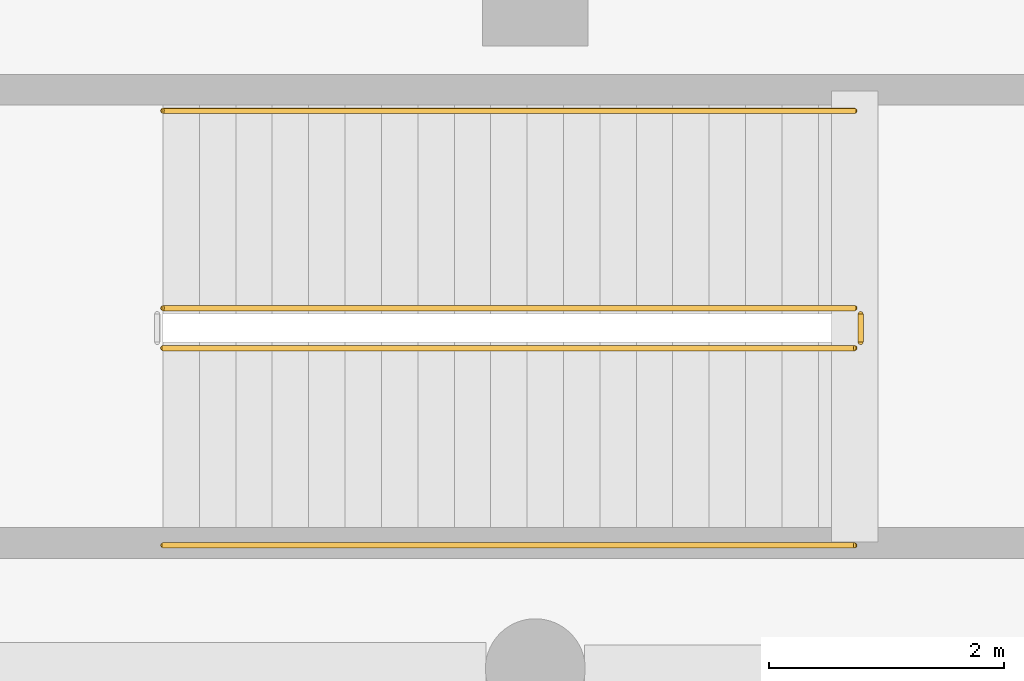
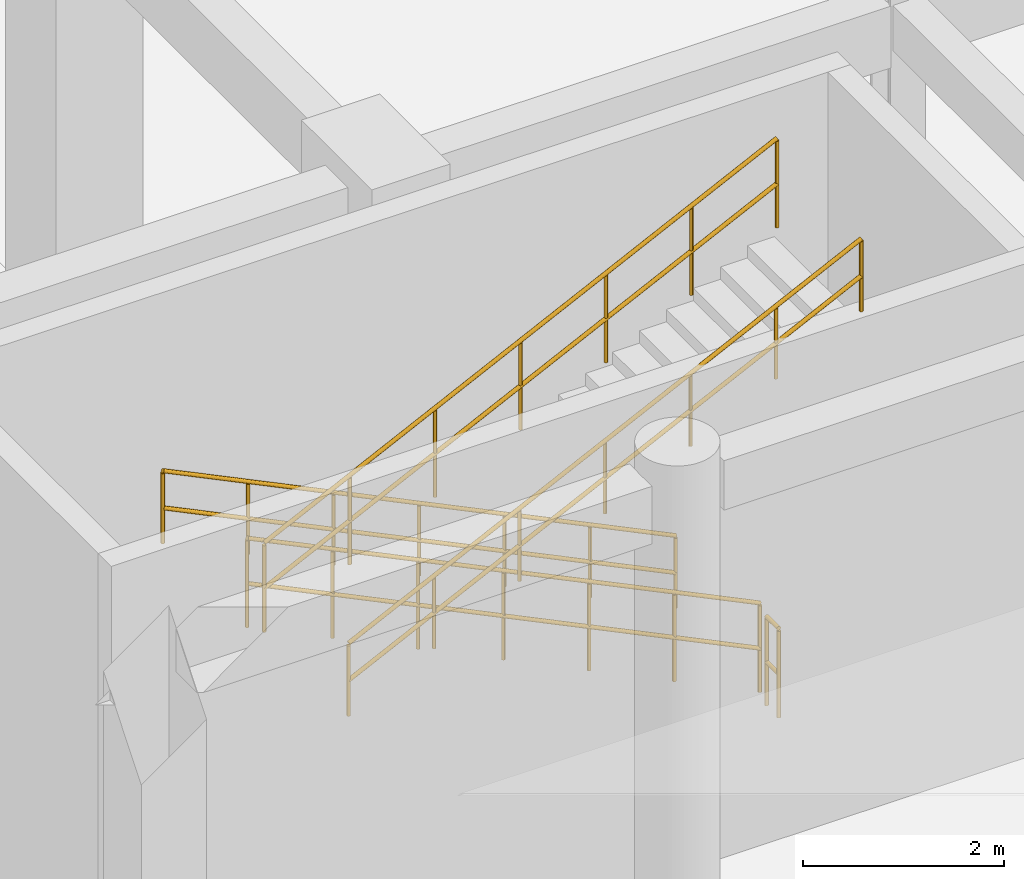
# One storey, part 101 of 106: 5 railings.
"""IFC4 building model written with IfcOpenShell, lengths in metres."""

from ifc_helpers import new_model, si_unit, direction, frame, origin, origin_2d, place, context, subcontext, project, spatial, circle, extrude, material, type_object, element, save


model = new_model("IFC4")

# Units and contexts
model_context = context("Model", 3, precision=1e-05, world=origin(), true_north=direction((0.0, 1.0)))
body_context = subcontext(model_context, "Body", "Model", "MODEL_VIEW")
ifc_project = project(units=[si_unit("LENGTHUNIT", "METRE"), si_unit("AREAUNIT", "SQUARE_METRE"), si_unit("VOLUMEUNIT", "CUBIC_METRE"), si_unit("PLANEANGLEUNIT", "RADIAN"), si_unit("MASSUNIT", "GRAM", prefix="KILO"), si_unit("THERMODYNAMICTEMPERATUREUNIT", "KELVIN"), si_unit("POWERUNIT", "WATT")], contexts=[model_context])

# Site, building, storey
site_placement = place(None, origin())
site = spatial("IfcSite", under=ifc_project, at=site_placement, CompositionType="ELEMENT")
building_placement = place(site_placement, origin())
building = spatial("IfcBuilding", under=site, at=building_placement, Name="Phaisarnlok Congress Hotel", CompositionType="ELEMENT")
storey_placement = place(building_placement, origin())
storey = spatial("IfcBuildingStorey", under=building, at=storey_placement, Name="L00", CompositionType="ELEMENT", Elevation=0.0)

# Railings
ifc_material_1 = material(Name="Painted Galvanised Steel S275", Category="steel")
railing_type_1 = type_object("IfcRailingType", Name="RLG-STR-GUARD", PredefinedType="BALUSTRADE", material=ifc_material_1)
railing_1_placement = place(storey_placement, frame((68.719970703125, 39.070068359375, 0.14990234375)))
element("IfcRailing", 1, at=railing_1_placement, inside=storey, type_object=railing_type_1, Name="L00 ST-12 stair guard 1", PredefinedType="BALUSTRADE", context=body_context, shape_type="SweptSolid", body=[
    extrude(circle(Radius=0.02392578125, at=origin_2d()), frame((0.0, 0.0, 1.076171875), z_axis=(-0.900150285036, 0.0, 0.435579458135), x_axis=(0.0, -1.0, 0.0)), (0.0, 0.0, 1.0), 6.543212890625),
    extrude(circle(Radius=0.02392578125, at=origin_2d()), frame((0.0, 0.0, 0.52587890625), z_axis=(-0.900150285036, 0.0, 0.435579458135), x_axis=(0.0, -1.0, 0.0)), (0.0, 0.0, 1.0), 6.543212890625),
    extrude(circle(Radius=0.02099609375, at=origin_2d()), origin(), (0.0, 0.0, 1.0), 1.052001953125),
    extrude(circle(Radius=0.02099609375, at=origin_2d()), frame((-0.981689453125, 0.0, 0.47509765625)), (0.0, 0.0, 1.0), 1.052001953125),
    extrude(circle(Radius=0.02099609375, at=origin_2d()), frame((-1.96337890625, 0.0, 0.949951171875)), (0.0, 0.0, 1.0), 1.052001953125),
    extrude(circle(Radius=0.02099609375, at=origin_2d()), frame((-2.94482421875, 0.0, 1.425048828125)), (0.0, 0.0, 1.0), 1.052001953125),
    extrude(circle(Radius=0.02099609375, at=origin_2d()), frame((-3.926513671875, 0.0, 1.900146484375)), (0.0, 0.0, 1.0), 1.052001953125),
    extrude(circle(Radius=0.02099609375, at=origin_2d()), frame((-4.908203125, 0.0, 2.375)), (0.0, 0.0, 1.0), 1.052001953125),
    extrude(circle(Radius=0.02099609375, at=origin_2d()), frame((-5.889892578125, 0.0, 2.85009765625)), (0.0, 0.0, 1.0), 1.052001953125),
])
railing_2_placement = place(storey_placement, frame((62.830078125, 38.72998046875, 3.14990234375)))
element("IfcRailing", 2, at=railing_2_placement, inside=storey, type_object=railing_type_1, Name="L00 ST-12 stair guard 3", PredefinedType="BALUSTRADE", context=body_context, shape_type="SweptSolid", body=[
    extrude(circle(Radius=0.02392578125, at=origin_2d()), frame((0.0, 0.0, 1.076171875), z_axis=(0.900150285036, 0.0, 0.435579458135), x_axis=(0.0, 1.0, 0.0)), (0.0, 0.0, 1.0), 6.543212890625),
    extrude(circle(Radius=0.02392578125, at=origin_2d()), frame((0.0, 0.0, 0.52587890625), z_axis=(0.900150285036, 0.0, 0.435579458135), x_axis=(0.0, 1.0, 0.0)), (0.0, 0.0, 1.0), 6.543212890625),
    extrude(circle(Radius=0.02099609375, at=origin_2d()), origin(), (0.0, 0.0, 1.0), 1.052001953125),
    extrude(circle(Radius=0.02099609375, at=origin_2d()), frame((0.981689453125, 0.0, 0.47509765625)), (0.0, 0.0, 1.0), 1.052001953125),
    extrude(circle(Radius=0.02099609375, at=origin_2d()), frame((1.96337890625, 0.0, 0.949951171875)), (0.0, 0.0, 1.0), 1.052001953125),
    extrude(circle(Radius=0.02099609375, at=origin_2d()), frame((2.94482421875, 0.0, 1.425048828125)), (0.0, 0.0, 1.0), 1.052001953125),
    extrude(circle(Radius=0.02099609375, at=origin_2d()), frame((3.926513671875, 0.0, 1.900146484375)), (0.0, 0.0, 1.0), 1.052001953125),
    extrude(circle(Radius=0.02099609375, at=origin_2d()), frame((4.908203125, 0.0, 2.375)), (0.0, 0.0, 1.0), 1.052001953125),
    extrude(circle(Radius=0.02099609375, at=origin_2d()), frame((5.889892578125, 0.0, 2.85009765625)), (0.0, 0.0, 1.0), 1.052001953125),
])
railing_3_placement = place(storey_placement, frame((68.77001953125, 39.02001953125, 0.0)))
element("IfcRailing", 3, at=railing_3_placement, inside=storey, type_object=railing_type_1, Name="L00 ST-12 stair guard 4", PredefinedType="BALUSTRADE", context=body_context, shape_type="SweptSolid", body=[
    extrude(circle(Radius=0.02392578125, at=origin_2d()), frame((0.0, 0.0, 1.076171875), z_axis=(0.0, -1.0, 0.0), x_axis=(1.0, 0.0, 0.0)), (0.0, 0.0, 1.0), 0.239990234375),
    extrude(circle(Radius=0.02392578125, at=origin_2d()), frame((0.0, 0.0, 0.52587890625), z_axis=(0.0, -1.0, 0.0), x_axis=(1.0, 0.0, 0.0)), (0.0, 0.0, 1.0), 0.239990234375),
    extrude(circle(Radius=0.02099609375, at=origin_2d()), origin(), (0.0, 0.0, 1.0), 1.052001953125),
    extrude(circle(Radius=0.02099609375, at=origin_2d()), frame((0.0, -0.239990234375, 0.0)), (0.0, 0.0, 1.0), 1.052001953125),
])
ifc_material_2 = material(Name="Brushed Stainless Steel Grade 304", Category="steel")
railing_type_2 = type_object("IfcRailingType", Name="RLG-STR-HRAIL", PredefinedType="HANDRAIL", material=ifc_material_2)
railing_4_placement = place(storey_placement, frame((68.719970703125, 40.75, 0.14990234375)))
element("IfcRailing", 4, at=railing_4_placement, inside=storey, type_object=railing_type_2, Name="L00 ST-12 stair handrail 1", PredefinedType="HANDRAIL", context=body_context, shape_type="SweptSolid", body=[
    extrude(circle(Radius=0.02392578125, at=origin_2d()), frame((0.0, 0.0, 0.8759765625), z_axis=(-0.900150285036, 0.0, 0.435579458135), x_axis=(0.0, -1.0, 0.0)), (0.0, 0.0, 1.0), 6.543212890625),
    extrude(circle(Radius=0.02392578125, at=origin_2d()), frame((0.0, 0.0, 0.42578125), z_axis=(-0.900150285036, 0.0, 0.435579458135), x_axis=(0.0, -1.0, 0.0)), (0.0, 0.0, 1.0), 6.543212890625),
    extrude(circle(Radius=0.02099609375, at=origin_2d()), origin(), (0.0, 0.0, 1.0), 0.851806640625),
    extrude(circle(Radius=0.02099609375, at=origin_2d()), frame((-0.981689453125, 0.0, 0.47509765625)), (0.0, 0.0, 1.0), 0.851806640625),
    extrude(circle(Radius=0.02099609375, at=origin_2d()), frame((-1.96337890625, 0.0, 0.949951171875)), (0.0, 0.0, 1.0), 0.851806640625),
    extrude(circle(Radius=0.02099609375, at=origin_2d()), frame((-2.94482421875, 0.0, 1.425048828125)), (0.0, 0.0, 1.0), 0.851806640625),
    extrude(circle(Radius=0.02099609375, at=origin_2d()), frame((-3.926513671875, 0.0, 1.900146484375)), (0.0, 0.0, 1.0), 0.851806640625),
    extrude(circle(Radius=0.02099609375, at=origin_2d()), frame((-4.908203125, 0.0, 2.375)), (0.0, 0.0, 1.0), 0.851806640625),
    extrude(circle(Radius=0.02099609375, at=origin_2d()), frame((-5.889892578125, 0.0, 2.85009765625)), (0.0, 0.0, 1.0), 0.851806640625),
])
railing_5_placement = place(storey_placement, frame((62.830078125, 37.050048828125, 3.14990234375)))
element("IfcRailing", 5, at=railing_5_placement, inside=storey, type_object=railing_type_2, Name="L00 ST-12 stair handrail 2", PredefinedType="HANDRAIL", context=body_context, shape_type="SweptSolid", body=[
    extrude(circle(Radius=0.02392578125, at=origin_2d()), frame((0.0, 0.0, 0.8759765625), z_axis=(0.900150285036, 0.0, 0.435579458135), x_axis=(0.0, 1.0, 0.0)), (0.0, 0.0, 1.0), 6.543212890625),
    extrude(circle(Radius=0.02392578125, at=origin_2d()), frame((0.0, 0.0, 0.42578125), z_axis=(0.900150285036, 0.0, 0.435579458135), x_axis=(0.0, 1.0, 0.0)), (0.0, 0.0, 1.0), 6.543212890625),
    extrude(circle(Radius=0.02099609375, at=origin_2d()), origin(), (0.0, 0.0, 1.0), 0.851806640625),
    extrude(circle(Radius=0.02099609375, at=origin_2d()), frame((0.981689453125, 0.0, 0.47509765625)), (0.0, 0.0, 1.0), 0.851806640625),
    extrude(circle(Radius=0.02099609375, at=origin_2d()), frame((1.96337890625, 0.0, 0.949951171875)), (0.0, 0.0, 1.0), 0.851806640625),
    extrude(circle(Radius=0.02099609375, at=origin_2d()), frame((2.94482421875, 0.0, 1.425048828125)), (0.0, 0.0, 1.0), 0.851806640625),
    extrude(circle(Radius=0.02099609375, at=origin_2d()), frame((3.926513671875, 0.0, 1.900146484375)), (0.0, 0.0, 1.0), 0.851806640625),
    extrude(circle(Radius=0.02099609375, at=origin_2d()), frame((4.908203125, 0.0, 2.375)), (0.0, 0.0, 1.0), 0.851806640625),
    extrude(circle(Radius=0.02099609375, at=origin_2d()), frame((5.889892578125, 0.0, 2.85009765625)), (0.0, 0.0, 1.0), 0.851806640625),
])

save(model, "model.ifc")
